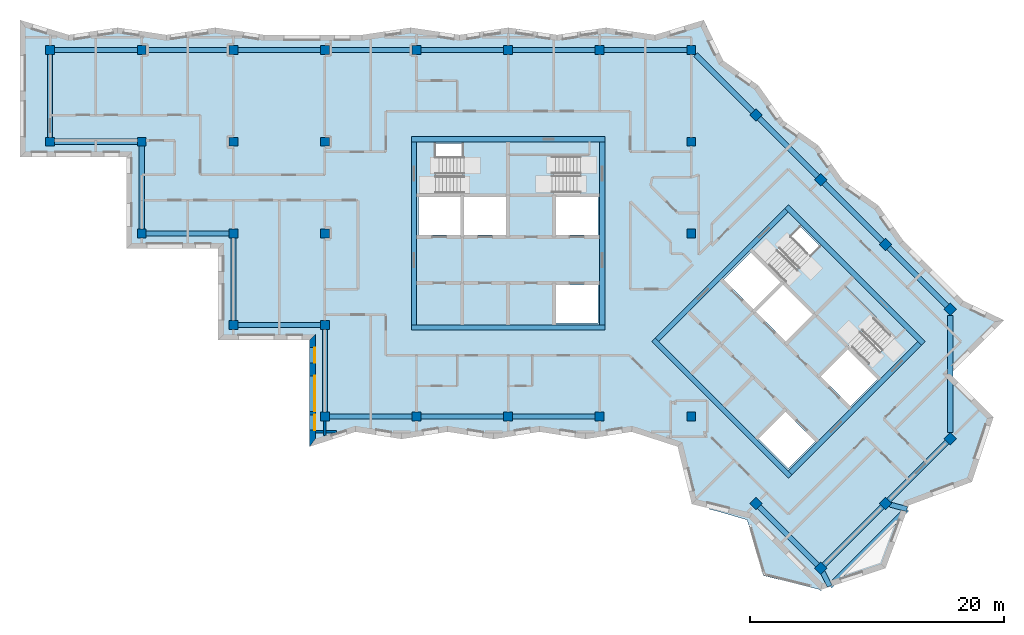
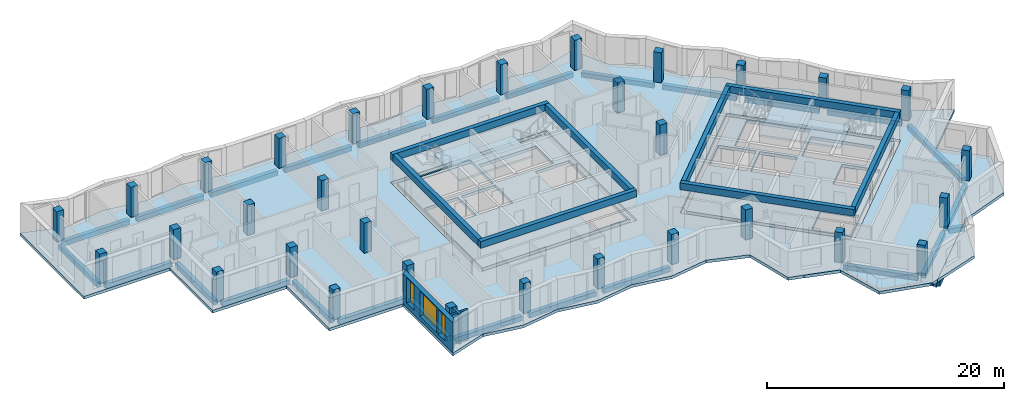
# One storey, part 1 of 12: 36 beams, 32 columns, 8 slabs, 3 walls, 3 windows, 17 openings, 4 elements without a shape of their own.
"""IFC4 building model written with IfcOpenShell, lengths in metres."""

from ifc_helpers import new_model, si_unit, direction, frame, frame_2d, origin, origin_2d, place, context, subcontext, project, spatial, polyline, rectangle, outline, extrude, material, layer, layer_set, material_profile, profile_set, type_object, element, fill, aggregate, save


model = new_model("IFC4")

# Units and contexts
model_context = context("Model", 3, precision=1e-05, world=origin(), true_north=direction((0.0, 1.0)))
body_context = subcontext(model_context, "Body", "Model", "MODEL_VIEW")
ifc_project = project(units=[si_unit("LENGTHUNIT", "METRE"), si_unit("AREAUNIT", "SQUARE_METRE"), si_unit("VOLUMEUNIT", "CUBIC_METRE"), si_unit("PLANEANGLEUNIT", "RADIAN"), si_unit("MASSUNIT", "GRAM", prefix="KILO")], contexts=[model_context])

# Site, building, storey
site_placement = place(None, origin())
site = spatial("IfcSite", under=ifc_project, at=site_placement, CompositionType="ELEMENT")
building_placement = place(site_placement, origin())
building = spatial("IfcBuilding", under=site, at=building_placement, Name="Windrow Commons", CompositionType="ELEMENT")
storey_placement = place(building_placement, frame((0.0, 0.0, 274.4)))
storey = spatial("IfcBuildingStorey", under=building, at=storey_placement, Name="L75", CompositionType="ELEMENT", Elevation=274.4)

# Columns
ifc_material_1 = material(Name="Concrete C40/50", Category="concrete")
ifc_material_profile_1 = material_profile(ifc_material_1, rectangle(XDim=0.7, YDim=0.7, at=origin_2d()))
ifc_profile_set_1 = profile_set([ifc_material_profile_1], Name="Concrete C40/50")
column_type = type_object("IfcColumnType", Name="RC COLUMN 700x700 C40/50", PredefinedType="COLUMN", material=ifc_profile_set_1)
for number, where, z_axis, x_axis, name in (
    (1, (28.8, 64.8, 0.0), (0.0, 0.0, 1.0), (1.0, 0.0, 0.0), "C-Z5-05I"),
    (2, (28.8, 72.0, 0.0), (0.0, 0.0, 1.0), (1.0, 0.0, 0.0), "C-Z5-05J"),
    (3, (36.0, 57.6, 0.0), (0.0, 0.0, 1.0), (1.0, 0.0, 0.0), "C-Z5-06H"),
    (4, (36.0, 64.8, 0.0), (0.0, 0.0, 1.0), (1.0, 0.0, 0.0), "C-Z5-06I"),
    (5, (36.0, 72.0, 0.0), (0.0, 0.0, 1.0), (1.0, 0.0, 0.0), "C-Z5-06J"),
    (6, (43.2, 50.4, 0.0), (0.0, 0.0, 1.0), (1.0, 0.0, 0.0), "C-Z5-07G"),
    (7, (43.2, 57.6, 0.0), (0.0, 0.0, 1.0), (1.0, 0.0, 0.0), "C-Z5-07H"),
    (8, (43.2, 64.8, 0.0), (0.0, 0.0, 1.0), (1.0, 0.0, 0.0), "C-Z5-07I"),
    (9, (43.2, 72.0, 0.0), (0.0, 0.0, 1.0), (1.0, 0.0, 0.0), "C-Z5-07J"),
    (10, (50.4, 43.2, 0.0), (0.0, 0.0, 1.0), (1.0, 0.0, 0.0), "C-Z5-08F"),
    (11, (50.4, 50.4, 0.0), (0.0, 0.0, 1.0), (1.0, 0.0, 0.0), "C-Z5-08G"),
    (12, (50.4, 57.6, 0.0), (0.0, 0.0, 1.0), (1.0, 0.0, 0.0), "C-Z5-08H"),
    (13, (50.4, 64.8, 0.0), (0.0, 0.0, 1.0), (1.0, 0.0, 0.0), "C-Z5-08I"),
    (14, (50.4, 72.0, 0.0), (0.0, 0.0, 1.0), (1.0, 0.0, 0.0), "C-Z5-08J"),
    (15, (57.6, 43.2, 0.0), (0.0, 0.0, 1.0), (1.0, 0.0, 0.0), "C-Z5-09F"),
    (16, (57.6, 72.0, 0.0), (0.0, 0.0, 1.0), (1.0, 0.0, 0.0), "C-Z5-09J"),
    (17, (64.8, 43.2, 0.0), (0.0, 0.0, 1.0), (1.0, 0.0, 0.0), "C-Z5-10F"),
    (18, (64.8, 72.0, 0.0), (0.0, 0.0, 1.0), (1.0, 0.0, 0.0), "C-Z5-10J"),
    (19, (72.0, 43.2, 0.0), (0.0, 0.0, 1.0), (1.0, 0.0, 0.0), "C-Z5-11F"),
    (20, (72.0, 72.0, 0.0), (0.0, 0.0, 1.0), (1.0, 0.0, 0.0), "C-Z5-11J"),
    (21, (79.2, 43.2, 0.0), (0.0, 0.0, 1.0), (1.0, 0.0, 0.0), "C-Z5-12F"),
    (22, (79.2, 57.6, 0.0), (0.0, 0.0, 1.0), (1.0, 0.0, 0.0), "C-Z5-12H"),
    (23, (79.2, 64.8, 0.0), (0.0, 0.0, 1.0), (1.0, 0.0, 0.0), "C-Z5-12I"),
    (24, (79.2, 72.0, 0.0), (0.0, 0.0, 1.0), (1.0, 0.0, 0.0), "C-Z5-12J"),
    (25, (84.2912, 66.9088, 0.0), (0.0, 0.0, 1.0), (0.7071067812, -0.7071067812, 0.0), "C-Z5-P2Q"),
    (26, (89.3823, 61.8177, 0.0), (0.0, 0.0, 1.0), (0.7071067812, -0.7071067812, 0.0), "C-Z5-P3Q"),
    (27, (94.4735, 56.7265, 0.0), (0.0, 0.0, 1.0), (0.7071067812, -0.7071067812, 0.0), "C-Z5-P4Q"),
    (28, (99.5647, 51.6353, 0.0), (0.0, 0.0, 1.0), (0.7071067812, -0.7071067812, 0.0), "C-Z5-P5Q"),
    (29, (84.2912, 36.3618, 0.0), (0.0, 0.0, 1.0), (0.7071067812, -0.7071067812, 0.0), "C-Z5-P5T"),
    (30, (99.5647, 41.453, 0.0), (0.0, 0.0, 1.0), (0.7071067812, -0.7071067812, 0.0), "C-Z5-P6R"),
    (31, (94.4735, 36.3618, 0.0), (0.0, 0.0, 1.0), (0.7071067812, -0.7071067812, 0.0), "C-Z5-P6S"),
    (32, (89.3823, 31.2706, 0.0), (0.0, 0.0, 1.0), (0.7071067812, -0.7071067812, 0.0), "C-Z5-P6T"),
):
    element("IfcColumn", number, at=place(storey_placement, frame(where, z_axis=z_axis, x_axis=x_axis)), inside=storey, type_object=column_type, Name=name, PredefinedType="COLUMN", context=body_context, shape_type="SweptSolid", body=[
        extrude(rectangle(XDim=0.7, YDim=0.7, at=origin_2d()), origin(), (0.0, 0.0, 1.0), 3.1),
    ])

# Beams
ifc_material_2 = material(Name="Concrete C40/50", Category="concrete")
ifc_material_profile_2 = material_profile(ifc_material_2, rectangle(XDim=0.4, YDim=0.7, at=origin_2d()))
ifc_profile_set_2 = profile_set([ifc_material_profile_2], Name="Concrete C40/50")
beam_type_1 = type_object("IfcBeamType", Name="RC COUPLING BEAM 400x700 C40/50", PredefinedType="LINTEL", material=ifc_profile_set_2)
for number, where, z_axis, x_axis, name in (
    (33, (57.2, 50.2, 2.75), (1.0, 0.0, 0.0), (0.0, 1.0, 0.0), "Core A coupling beam outer-S"),
    (34, (57.2, 65.0, 2.75), (1.0, 0.0, 0.0), (0.0, 1.0, 0.0), "Core A coupling beam outer-N"),
):
    element("IfcBeam", number, at=place(storey_placement, frame(where, z_axis=z_axis, x_axis=x_axis)), inside=storey, type_object=beam_type_1, Name=name, PredefinedType="LINTEL", context=body_context, shape_type="SweptSolid", body=[
        extrude(rectangle(XDim=0.4, YDim=0.7, at=origin_2d()), origin(), (0.0, 0.0, 1.0), 15.2),
    ])
for number, where, z_axis, x_axis, name in (
    (35, (57.4, 50.4, 2.75), (0.0, 1.0, 0.0), (-1.0, 0.0, 0.0), "Core A coupling beam outer-W"),
    (36, (72.2, 50.4, 2.75), (0.0, 1.0, 0.0), (-1.0, 0.0, 0.0), "Core A coupling beam outer-E"),
):
    element("IfcBeam", number, at=place(storey_placement, frame(where, z_axis=z_axis, x_axis=x_axis)), inside=storey, type_object=beam_type_1, Name=name, PredefinedType="LINTEL", context=body_context, shape_type="SweptSolid", body=[
        extrude(rectangle(XDim=0.4, YDim=0.7, at=origin_2d()), origin(), (0.0, 0.0, 1.0), 14.4),
    ])
for number, where, z_axis, x_axis, name in (
    (37, (76.2302, 49.2312, 2.75), (0.7071034917, -0.7071100706, 0.0), (0.7071100706, 0.7071034917, 0.0), "Core B coupling beam outer-S"),
    (38, (86.6953, 59.6963, 2.75), (0.7071100706, -0.7071034917, 0.0), (0.7071034917, 0.7071100706, 0.0), "Core B coupling beam outer-N"),
):
    element("IfcBeam", number, at=place(storey_placement, frame(where, z_axis=z_axis, x_axis=x_axis)), inside=storey, type_object=beam_type_1, Name=name, PredefinedType="LINTEL", context=body_context, shape_type="SweptSolid", body=[
        extrude(rectangle(XDim=0.4, YDim=0.7, at=origin_2d()), origin(), (0.0, 0.0, 1.0), 15.2),
    ])
for number, where, z_axis, x_axis, name in (
    (39, (76.513, 49.2312, 2.75), (0.7071067812, 0.7071067812, 0.0), (-0.7071067812, 0.7071067812, 0.0), "Core B coupling beam outer-W"),
    (40, (86.9782, 38.766, 2.75), (0.7071067812, 0.7071067812, 0.0), (-0.7071067812, 0.7071067812, 0.0), "Core B coupling beam outer-E"),
):
    element("IfcBeam", number, at=place(storey_placement, frame(where, z_axis=z_axis, x_axis=x_axis)), inside=storey, type_object=beam_type_1, Name=name, PredefinedType="LINTEL", context=body_context, shape_type="SweptSolid", body=[
        extrude(rectangle(XDim=0.4, YDim=0.7, at=origin_2d()), origin(), (0.0, 0.0, 1.0), 14.3999),
    ])
ifc_material_3 = material(Name="Concrete C40/50", Category="concrete")
ifc_material_profile_3 = material_profile(ifc_material_3, rectangle(XDim=0.4, YDim=0.5, at=origin_2d()))
ifc_profile_set_3 = profile_set([ifc_material_profile_3], Name="Concrete C40/50")
beam_type_2 = type_object("IfcBeamType", Name="RC EDGE BEAM 400x500 C40/50", PredefinedType="SPANDREL", material=ifc_profile_set_3)
beam_1_placement = place(storey_placement, frame((90.0894, 29.8564, -0.55), z_axis=(0.7071067812, 0.7071067812, 0.0), x_axis=(-0.7071067812, 0.7071067812, 0.0)))
element("IfcBeam", 41, at=beam_1_placement, inside=storey, type_object=beam_type_2, Name="Terrace base beam TR-L75-1", PredefinedType="SPANDREL", context=body_context, shape_type="SweptSolid", body=[
    extrude(rectangle(XDim=0.4, YDim=0.5, at=origin_2d()), origin(), (0.0, 0.0, 1.0), 8.5819),
])
beam_2_placement = place(storey_placement, frame((89.5249, 30.9853, -0.55), z_axis=(0.4472452866, -0.8944113447, 0.0), x_axis=(0.8944113447, 0.4472452866, 0.0)))
element("IfcBeam", 42, at=beam_2_placement, inside=storey, type_object=beam_type_2, Name="Terrace base bracket beam TR-L75-1.1", PredefinedType="SPANDREL", context=body_context, shape_type="SweptSolid", body=[
    extrude(rectangle(XDim=0.4, YDim=0.5, at=origin_2d()), origin(), (0.0, 0.0, 1.0), 1.2622),
])
beam_3_placement = place(storey_placement, frame((94.8181, 36.2724, -0.55), z_axis=(0.9679272993, -0.2512304583, 0.0), x_axis=(0.2512304583, 0.9679272993, 0.0)))
element("IfcBeam", 43, at=beam_3_placement, inside=storey, type_object=beam_type_2, Name="Terrace base bracket beam TR-L75-1.2", PredefinedType="SPANDREL", context=body_context, shape_type="SweptSolid", body=[
    extrude(rectangle(XDim=0.4, YDim=0.5, at=origin_2d()), origin(), (0.0, 0.0, 1.0), 1.384),
])
for number, where, z_axis, x_axis, name in (
    (44, (57.25, 43.2, -0.55), (-1.0, 0.0, 0.0), (0.0, -1.0, 0.0), "Edge beam L75 001"),
    (45, (50.4, 43.55, -0.55), (0.0, 1.0, 0.0), (-1.0, 0.0, 0.0), "Edge beam L75 002"),
    (46, (50.05, 50.4, -0.55), (-1.0, 0.0, 0.0), (0.0, -1.0, 0.0), "Edge beam L75 003"),
    (47, (43.2, 50.75, -0.55), (0.0, 1.0, 0.0), (-1.0, 0.0, 0.0), "Edge beam L75 004"),
    (48, (42.85, 57.6, -0.55), (-1.0, 0.0, 0.0), (0.0, -1.0, 0.0), "Edge beam L75 005"),
    (49, (36.0, 57.95, -0.55), (0.0, 1.0, 0.0), (-1.0, 0.0, 0.0), "Edge beam L75 006"),
    (50, (35.65, 64.8, -0.55), (-1.0, 0.0, 0.0), (0.0, -1.0, 0.0), "Edge beam L75 007"),
    (51, (28.8, 65.15, -0.55), (0.0, 1.0, 0.0), (-1.0, 0.0, 0.0), "Edge beam L75 008"),
    (52, (29.15, 72.0, -0.55), (1.0, 0.0, 0.0), (0.0, 1.0, 0.0), "Edge beam L75 009"),
    (53, (36.35, 72.0, -0.55), (1.0, 0.0, 0.0), (0.0, 1.0, 0.0), "Edge beam L75 010"),
    (54, (43.55, 72.0, -0.55), (1.0, 0.0, 0.0), (0.0, 1.0, 0.0), "Edge beam L75 011"),
    (55, (50.75, 72.0, -0.55), (1.0, 0.0, 0.0), (0.0, 1.0, 0.0), "Edge beam L75 012"),
    (56, (57.95, 72.0, -0.55), (1.0, 0.0, 0.0), (0.0, 1.0, 0.0), "Edge beam L75 013"),
    (57, (65.15, 72.0, -0.55), (1.0, 0.0, 0.0), (0.0, 1.0, 0.0), "Edge beam L75 014"),
    (58, (72.35, 72.0, -0.55), (1.0, 0.0, 0.0), (0.0, 1.0, 0.0), "Edge beam L75 015"),
):
    element("IfcBeam", number, at=place(storey_placement, frame(where, z_axis=z_axis, x_axis=x_axis)), inside=storey, type_object=beam_type_2, Name=name, PredefinedType="SPANDREL", context=body_context, shape_type="SweptSolid", body=[
        extrude(rectangle(XDim=0.4, YDim=0.5, at=origin_2d()), origin(), (0.0, 0.0, 1.0), 6.5),
    ])
beam_4_placement = place(storey_placement, frame((79.55, 71.65, -0.55), z_axis=(0.7071067812, -0.7071067812, 0.0), x_axis=(0.7071067812, 0.7071067812, 0.0)))
element("IfcBeam", 59, at=beam_4_placement, inside=storey, type_object=beam_type_2, Name="Edge beam L75 016", PredefinedType="SPANDREL", context=body_context, shape_type="SweptSolid", body=[
    extrude(rectangle(XDim=0.4, YDim=0.5, at=origin_2d()), origin(), (0.0, 0.0, 1.0), 6.3551),
])
beam_5_placement = place(storey_placement, frame((84.5387, 66.6613, -0.55), z_axis=(0.7071067812, -0.7071067812, 0.0), x_axis=(0.7071067812, 0.7071067812, 0.0)))
element("IfcBeam", 60, at=beam_5_placement, inside=storey, type_object=beam_type_2, Name="Edge beam L75 017", PredefinedType="SPANDREL", context=body_context, shape_type="SweptSolid", body=[
    extrude(rectangle(XDim=0.4, YDim=0.5, at=origin_2d()), origin(), (0.0, 0.0, 1.0), 6.4999),
])
for number, where, z_axis, x_axis, name in (
    (61, (89.6298, 61.5702, -0.55), (0.7071067812, -0.7071067812, 0.0), (0.7071067812, 0.7071067812, 0.0), "Edge beam L75 018"),
    (62, (94.721, 56.479, -0.55), (0.7071067812, -0.7071067812, 0.0), (0.7071067812, 0.7071067812, 0.0), "Edge beam L75 019"),
):
    element("IfcBeam", number, at=place(storey_placement, frame(where, z_axis=z_axis, x_axis=x_axis)), inside=storey, type_object=beam_type_2, Name=name, PredefinedType="SPANDREL", context=body_context, shape_type="SweptSolid", body=[
        extrude(rectangle(XDim=0.4, YDim=0.5, at=origin_2d()), origin(), (0.0, 0.0, 1.0), 6.5),
    ])
beam_6_placement = place(storey_placement, frame((99.5647, 51.1403, -0.55), z_axis=(0.0, -1.0, 0.0), x_axis=(1.0, 0.0, 0.0)))
element("IfcBeam", 63, at=beam_6_placement, inside=storey, type_object=beam_type_2, Name="Edge beam L75 020", PredefinedType="SPANDREL", context=body_context, shape_type="SweptSolid", body=[
    extrude(rectangle(XDim=0.4, YDim=0.5, at=origin_2d()), origin(), (0.0, 0.0, 1.0), 9.1923),
])
for number, where, z_axis, x_axis, name in (
    (64, (99.3172, 41.2055, -0.55), (-0.7071067812, -0.7071067812, 0.0), (0.7071067812, -0.7071067812, 0.0), "Edge beam L75 021"),
    (65, (94.226, 36.1143, -0.55), (-0.7071067812, -0.7071067812, 0.0), (0.7071067812, -0.7071067812, 0.0), "Edge beam L75 022"),
):
    element("IfcBeam", number, at=place(storey_placement, frame(where, z_axis=z_axis, x_axis=x_axis)), inside=storey, type_object=beam_type_2, Name=name, PredefinedType="SPANDREL", context=body_context, shape_type="SweptSolid", body=[
        extrude(rectangle(XDim=0.4, YDim=0.5, at=origin_2d()), origin(), (0.0, 0.0, 1.0), 6.5),
    ])
beam_7_placement = place(storey_placement, frame((89.1348, 31.5181, -0.55), z_axis=(-0.7070990888, 0.7071144735, 0.0), x_axis=(-0.7071144735, -0.7070990888, 0.0)))
element("IfcBeam", 66, at=beam_7_placement, inside=storey, type_object=beam_type_2, Name="Edge beam L75 023", PredefinedType="SPANDREL", context=body_context, shape_type="SweptSolid", body=[
    extrude(rectangle(XDim=0.4, YDim=0.5, at=origin_2d()), origin(), (0.0, 0.0, 1.0), 6.4999),
])
for number, where, z_axis, x_axis, name in (
    (67, (71.65, 43.2, -0.55), (-1.0, 0.0, 0.0), (0.0, -1.0, 0.0), "Edge beam L75 024"),
    (68, (64.45, 43.2, -0.55), (-1.0, 0.0, 0.0), (0.0, -1.0, 0.0), "Edge beam L75 025"),
):
    element("IfcBeam", number, at=place(storey_placement, frame(where, z_axis=z_axis, x_axis=x_axis)), inside=storey, type_object=beam_type_2, Name=name, PredefinedType="SPANDREL", context=body_context, shape_type="SweptSolid", body=[
        extrude(rectangle(XDim=0.4, YDim=0.5, at=origin_2d()), origin(), (0.0, 0.0, 1.0), 6.5),
    ])

# Slab, openings
ifc_material_4 = material(Name="Concrete C40/50", Category="concrete")
ifc_layer_1 = layer(ifc_material_4, 0.3)
ifc_layer_set_1 = layer_set([ifc_layer_1], Name="CORE FLOOR SLAB 300 C40/50")
slab_type_1 = type_object("IfcSlabType", Name="CORE FLOOR SLAB 300 C40/50", PredefinedType="FLOOR", material=ifc_layer_set_1)
placement_1 = place(storey_placement, frame((0.0, 0.0, -0.3)))
slab_1 = element("IfcSlab", 69, at=placement_1, inside=storey, type_object=slab_type_1, Name="S-L75-core-A", PredefinedType="FLOOR", context=body_context, shape_type="SweptSolid", body=[
    extrude(outline(polyline([(57.6, 50.4), (72.0, 50.4), (72.0, 64.8), (57.6, 64.8), (57.6, 50.4)]), holes=[polyline([(68.55, 50.55), (71.85, 50.55), (71.85, 53.55), (68.55, 53.55), (68.55, 50.55)]), polyline([(57.75, 57.45), (61.05, 57.45), (61.05, 60.45), (57.75, 60.45), (57.75, 57.45)]), polyline([(61.35, 57.45), (64.65, 57.45), (64.65, 60.45), (61.35, 60.45), (61.35, 57.45)]), polyline([(68.55, 57.45), (71.85, 57.45), (71.85, 60.45), (68.55, 60.45), (68.55, 57.45)]), polyline([(59.1, 60.75), (64.65, 60.75), (64.65, 64.65), (59.1, 64.65), (59.1, 60.75)]), polyline([(64.95, 60.75), (70.5, 60.75), (70.5, 63.705), (64.95, 63.705), (64.95, 60.75)])]), origin(), (0.0, 0.0, 1.0), 0.3),
])
opening_1_placement = place(placement_1, origin())
element("IfcOpeningElement", 70, at=opening_1_placement, cuts=slab_1, Name="Slab opening S-L75-core-A 1", PredefinedType="OPENING", context=body_context, shape_type="SweptSolid", body=[
    extrude(outline(polyline([(68.555, 50.555), (68.555, 53.545), (71.845, 53.545), (71.845, 50.555), (68.555, 50.555)])), origin(), (0.0, 0.0, 1.0), 0.3),
])
opening_2_placement = place(placement_1, origin())
element("IfcOpeningElement", 71, at=opening_2_placement, cuts=slab_1, Name="Slab opening S-L75-core-A 2", PredefinedType="OPENING", context=body_context, shape_type="SweptSolid", body=[
    extrude(outline(polyline([(57.755, 57.455), (57.755, 60.445), (61.045, 60.445), (61.045, 57.455), (57.755, 57.455)])), origin(), (0.0, 0.0, 1.0), 0.3),
])
opening_3_placement = place(placement_1, origin())
element("IfcOpeningElement", 72, at=opening_3_placement, cuts=slab_1, Name="Slab opening S-L75-core-A 3", PredefinedType="OPENING", context=body_context, shape_type="SweptSolid", body=[
    extrude(outline(polyline([(61.355, 57.455), (61.355, 60.445), (64.645, 60.445), (64.645, 57.455), (61.355, 57.455)])), origin(), (0.0, 0.0, 1.0), 0.3),
])
opening_4_placement = place(placement_1, origin())
element("IfcOpeningElement", 73, at=opening_4_placement, cuts=slab_1, Name="Slab opening S-L75-core-A 4", PredefinedType="OPENING", context=body_context, shape_type="SweptSolid", body=[
    extrude(outline(polyline([(68.555, 57.455), (68.555, 60.445), (71.845, 60.445), (71.845, 57.455), (68.555, 57.455)])), origin(), (0.0, 0.0, 1.0), 0.3),
])
opening_5_placement = place(placement_1, origin())
element("IfcOpeningElement", 74, at=opening_5_placement, cuts=slab_1, Name="Slab opening S-L75-core-A 5", PredefinedType="OPENING", context=body_context, shape_type="SweptSolid", body=[
    extrude(outline(polyline([(59.105, 60.755), (59.105, 64.645), (64.645, 64.645), (64.645, 60.755), (59.105, 60.755)])), origin(), (0.0, 0.0, 1.0), 0.3),
])
opening_6_placement = place(placement_1, origin())
element("IfcOpeningElement", 75, at=opening_6_placement, cuts=slab_1, Name="Slab opening S-L75-core-A 6", PredefinedType="OPENING", context=body_context, shape_type="SweptSolid", body=[
    extrude(outline(polyline([(64.955, 60.755), (64.955, 63.7), (70.495, 63.7), (70.495, 60.755), (64.955, 60.755)])), origin(), (0.0, 0.0, 1.0), 0.3),
])

slab_2 = element("IfcSlab", 76, at=placement_1, inside=storey, type_object=slab_type_1, Name="S-L75-core-B", PredefinedType="FLOOR", context=body_context, shape_type="SweptSolid", body=[
    extrude(outline(polyline([(76.6544, 49.0897), (86.8368, 38.9074), (97.0191, 49.0897), (86.8368, 59.2721), (76.6544, 49.0897)]), holes=[polyline([(84.5033, 41.453), (86.8368, 39.1195), (88.9581, 41.2409), (86.6246, 43.5743), (84.5033, 41.453)]), polyline([(81.7456, 53.9688), (84.079, 51.6353), (86.2004, 53.7566), (83.8669, 56.0901), (81.7456, 53.9688)]), polyline([(84.2912, 51.4232), (86.6246, 49.0897), (88.7459, 51.2111), (86.4125, 53.5445), (84.2912, 51.4232)]), polyline([(89.3823, 46.332), (91.7158, 43.9986), (93.8371, 46.1199), (91.5037, 48.4533), (89.3823, 46.332)]), polyline([(85.0336, 55.3476), (88.9581, 51.4232), (91.7158, 54.1809), (87.7913, 58.1054), (85.0336, 55.3476)]), polyline([(89.1702, 51.2111), (93.0946, 47.2866), (95.1841, 49.3761), (91.2597, 53.3006), (89.1702, 51.2111)])]), origin(), (0.0, 0.0, 1.0), 0.3),
])
opening_7_placement = place(placement_1, origin())
element("IfcOpeningElement", 77, at=opening_7_placement, cuts=slab_2, Name="Slab opening S-L75-core-B 1", PredefinedType="OPENING", context=body_context, shape_type="SweptSolid", body=[
    extrude(outline(polyline([(84.5104, 41.453), (86.6246, 43.5672), (88.951, 41.2409), (86.8368, 39.1266), (84.5104, 41.453)])), origin(), (0.0, 0.0, 1.0), 0.3),
])
opening_8_placement = place(placement_1, origin())
element("IfcOpeningElement", 78, at=opening_8_placement, cuts=slab_2, Name="Slab opening S-L75-core-B 2", PredefinedType="OPENING", context=body_context, shape_type="SweptSolid", body=[
    extrude(outline(polyline([(81.7527, 53.9688), (83.8669, 56.083), (86.1933, 53.7566), (84.079, 51.6424), (81.7527, 53.9688)])), origin(), (0.0, 0.0, 1.0), 0.3),
])
opening_9_placement = place(placement_1, origin())
element("IfcOpeningElement", 79, at=opening_9_placement, cuts=slab_2, Name="Slab opening S-L75-core-B 3", PredefinedType="OPENING", context=body_context, shape_type="SweptSolid", body=[
    extrude(outline(polyline([(84.2983, 51.4232), (86.4125, 53.5374), (88.7388, 51.2111), (86.6246, 49.0968), (84.2983, 51.4232)])), origin(), (0.0, 0.0, 1.0), 0.3),
])
opening_10_placement = place(placement_1, origin())
element("IfcOpeningElement", 80, at=opening_10_placement, cuts=slab_2, Name="Slab opening S-L75-core-B 4", PredefinedType="OPENING", context=body_context, shape_type="SweptSolid", body=[
    extrude(outline(polyline([(89.3894, 46.332), (91.5037, 48.4462), (93.83, 46.1199), (91.7158, 44.0057), (89.3894, 46.332)])), origin(), (0.0, 0.0, 1.0), 0.3),
])
opening_11_placement = place(placement_1, origin())
element("IfcOpeningElement", 81, at=opening_11_placement, cuts=slab_2, Name="Slab opening S-L75-core-B 5", PredefinedType="OPENING", context=body_context, shape_type="SweptSolid", body=[
    extrude(outline(polyline([(85.0407, 55.3476), (87.7913, 58.0983), (91.7087, 54.1809), (88.9581, 51.4303), (85.0407, 55.3476)])), origin(), (0.0, 0.0, 1.0), 0.3),
])
opening_12_placement = place(placement_1, origin())
element("IfcOpeningElement", 82, at=opening_12_placement, cuts=slab_2, Name="Slab opening S-L75-core-B 6", PredefinedType="OPENING", context=body_context, shape_type="SweptSolid", body=[
    extrude(outline(polyline([(89.1773, 51.2111), (91.2597, 53.2935), (95.177, 49.3761), (93.0946, 47.2937), (89.1773, 51.2111)])), origin(), (0.0, 0.0, 1.0), 0.3),
])

# Stair, slab
ifc_material_5 = material(Name="Concrete C40/50", Category="concrete")
stair_type = type_object("IfcStairType", Name="Core stair", PredefinedType="HALF_TURN_STAIR", material=ifc_material_5)
placement_2 = place(storey_placement, origin())
stair_1 = element("IfcStair", 83, at=placement_2, inside=storey, type_object=stair_type, Name="L75 Exit stair A1 core A", PredefinedType="HALF_TURN_STAIR")
ifc_material_6 = material(Name="Concrete C40/50", Category="concrete")
ifc_layer_2 = layer(ifc_material_6, 0.2)
ifc_layer_set_2 = layer_set([ifc_layer_2], Name="Core stair landing")
slab_type_2 = type_object("IfcSlabType", Name="Core stair landing", PredefinedType="LANDING", material=ifc_layer_set_2)
placement_3 = place(storey_placement, frame((0.0, 0.0, 1.5)))
slab_3 = element("IfcSlab", 84, at=placement_3, type_object=slab_type_2, Name="ST-A1 landing 1", PredefinedType="LANDING", context=body_context, shape_type="SweptSolid", body=[
    extrude(outline(polyline([(61.22, 60.5), (64.8, 60.5), (64.8, 64.9), (61.22, 64.9), (61.22, 60.5)])), origin(), (0.0, 0.0, 1.0), 0.2),
])
aggregate(stair_1, [slab_3])

stair_2 = element("IfcStair", 85, at=placement_2, inside=storey, type_object=stair_type, Name="L75 Exit stair A2 core A", PredefinedType="HALF_TURN_STAIR")
slab_4 = element("IfcSlab", 86, at=placement_3, type_object=slab_type_2, Name="ST-A2 landing 1", PredefinedType="LANDING", context=body_context, shape_type="SweptSolid", body=[
    extrude(outline(polyline([(64.8, 60.5), (68.38, 60.5), (68.38, 63.855), (64.8, 63.855), (64.8, 60.5)])), origin(), (0.0, 0.0, 1.0), 0.2),
])
aggregate(stair_2, [slab_4])

stair_3 = element("IfcStair", 87, at=placement_2, inside=storey, type_object=stair_type, Name="L75 Exit stair B1 core B", PredefinedType="HALF_TURN_STAIR")
slab_5 = element("IfcSlab", 88, at=placement_3, type_object=slab_type_2, Name="ST-B1 landing 1", PredefinedType="LANDING", context=body_context, shape_type="SweptSolid", body=[
    extrude(outline(polyline([(86.3559, 53.6718), (88.8874, 51.1403), (91.9986, 54.2516), (89.4672, 56.7831), (86.3559, 53.6718)])), origin(), (0.0, 0.0, 1.0), 0.2),
])
aggregate(stair_3, [slab_5])

stair_4 = element("IfcStair", 89, at=placement_2, inside=storey, type_object=stair_type, Name="L75 Exit stair B2 core B", PredefinedType="HALF_TURN_STAIR")
slab_6 = element("IfcSlab", 90, at=placement_3, type_object=slab_type_2, Name="ST-B2 landing 1", PredefinedType="LANDING", context=body_context, shape_type="SweptSolid", body=[
    extrude(outline(polyline([(88.8874, 51.1403), (91.4188, 48.6089), (93.7911, 50.9812), (91.2597, 53.5127), (88.8874, 51.1403)])), origin(), (0.0, 0.0, 1.0), 0.2),
])
aggregate(stair_4, [slab_6])

# Slab, openings
ifc_material_7 = material(Name="Concrete C40/50", Category="concrete")
ifc_layer_3 = layer(ifc_material_7, 0.3)
ifc_layer_set_3 = layer_set([ifc_layer_3], Name="FLOOR SLAB 300 C40/50")
slab_type_3 = type_object("IfcSlabType", Name="FLOOR SLAB 300 C40/50", PredefinedType="FLOOR", material=ifc_layer_set_3)
slab_7 = element("IfcSlab", 91, at=placement_1, inside=storey, type_object=slab_type_3, Name="S-L75-floor", PredefinedType="FLOOR", context=body_context, shape_type="SweptSolid", body=[
    extrude(outline(polyline([(89.3955, 29.5151), (89.4013, 29.5167), (89.4403, 29.5297), (89.3929, 29.5771), (90.0187, 29.7857), (96.2284, 35.9954), (96.312, 36.2204), (101.2617, 38.0588), (102.9588, 43.15), (99.5647, 46.5442), (103.7875, 50.767), (100.5983, 52.2988), (95.8773, 57.0198), (93.9213, 59.7848), (91.1563, 61.7408), (89.2003, 64.5057), (86.4353, 66.4618), (84.4793, 69.2267), (81.7143, 71.1828), (80.1826, 74.372), (76.3429, 73.2), (72.5033, 73.772), (68.6637, 73.2), (64.8241, 73.772), (60.9845, 73.2), (57.1449, 73.772), (53.3053, 73.2), (45.6261, 73.2), (41.7864, 73.772), (37.9468, 73.2), (34.1072, 73.772), (30.2676, 73.2), (26.428, 74.372), (26.428, 63.6), (34.8, 63.6), (34.8, 56.4), (42.0, 56.4), (42.0, 49.2), (49.2, 49.2), (49.2, 40.828), (52.816, 42.0), (56.432, 41.428), (60.048, 42.0), (63.6639, 41.428), (67.2799, 42.0), (70.8959, 41.428), (74.5119, 42.0), (78.1279, 40.828), (79.2444, 36.3173), (80.5888, 35.9846), (80.5733, 35.9266), (81.1148, 35.7926), (83.5987, 35.0744), (84.8641, 30.6976), (89.2693, 29.6017), (89.3399, 29.5312), (89.3444, 29.5271), (89.3492, 29.5235), (89.3544, 29.5205), (89.3599, 29.5179), (89.3656, 29.516), (89.3715, 29.5146), (89.3775, 29.5138), (89.3835, 29.5136), (89.3895, 29.514), (89.3955, 29.5151)]), holes=[polyline([(76.0887, 49.0897), (86.8368, 59.8378), (97.5848, 49.0897), (86.8368, 38.3417), (76.0887, 49.0897)]), polyline([(57.2, 50.0), (57.2, 65.2), (72.4, 65.2), (72.4, 50.0), (57.2, 50.0)])]), origin(), (0.0, 0.0, 1.0), 0.3),
])
opening_13_placement = place(placement_1, origin())
element("IfcOpeningElement", 92, at=opening_13_placement, cuts=slab_7, Name="Slab opening S-L75-floor 1", PredefinedType="OPENING", context=body_context, shape_type="SweptSolid", body=[
    extrude(outline(polyline([(76.0958, 49.0897), (86.8368, 59.8307), (97.5777, 49.0897), (86.8368, 38.3488), (76.0958, 49.0897)])), origin(), (0.0, 0.0, 1.0), 0.3),
])
opening_14_placement = place(placement_1, origin())
element("IfcOpeningElement", 93, at=opening_14_placement, cuts=slab_7, Name="Slab opening S-L75-floor 2", PredefinedType="OPENING", context=body_context, shape_type="SweptSolid", body=[
    extrude(outline(polyline([(57.205, 50.005), (57.205, 65.195), (72.395, 65.195), (72.395, 50.005), (57.205, 50.005)])), origin(), (0.0, 0.0, 1.0), 0.3),
])

# Slab
ifc_material_8 = material(Name="Concrete C40/50", Category="concrete")
ifc_layer_4 = layer(ifc_material_8, 0.3)
ifc_layer_set_4 = layer_set([ifc_layer_4], Name="TERRACE SLAB 300 C40/50")
slab_type_4 = type_object("IfcSlabType", Name="TERRACE SLAB 300 C40/50", PredefinedType="FLOOR", material=ifc_layer_set_4)
element("IfcSlab", 94, at=placement_1, inside=storey, type_object=slab_type_4, Name="Terrace slab TR-L75-1", PredefinedType="FLOOR", context=body_context, shape_type="SweptSolid", body=[
    extrude(outline(polyline([(95.7394, 34.6789), (96.2281, 35.9945), (90.0202, 29.7866), (92.6774, 30.6724), (92.6775, 30.6719), (93.305, 30.8811), (93.9723, 31.1035), (93.9722, 31.104), (94.4732, 31.271), (95.6019, 34.3099), (95.739, 34.679), (95.7394, 34.6789)])), origin(), (0.0, 0.0, 1.0), 0.3),
])

# Wall, openings, windows
ifc_material_9 = material(Name="Brick masonry, red clay brick", Category="masonry")
ifc_layer_5 = layer(ifc_material_9, 0.45)
ifc_layer_set_5 = layer_set([ifc_layer_5], Name="Brick facade wall 450")
wall_type_1 = type_object("IfcWallType", Name="Brick facade wall 450", PredefinedType="SOLIDWALL", material=ifc_layer_set_5)
wall_1_placement = place(storey_placement, frame((49.425, 49.425, 0.0), z_axis=(0.0, 0.0, 1.0), x_axis=(0.0, -1.0, 0.0)))
wall_1 = element("IfcWall", 95, at=wall_1_placement, inside=storey, type_object=wall_type_1, Name="Brick facade wall L75 35", PredefinedType="SOLIDWALL", context=body_context, shape_type="SweptSolid", body=[
    extrude(outline(polyline([(0.225, -0.225), (8.597, -0.225), (7.9781, 0.225), (-0.225, 0.225), (0.225, -0.225)])), origin(), (0.0, 0.0, 1.0), 3.1),
])
opening_15_placement = place(wall_1_placement, frame((3.025, 0.0, 0.45)))
opening_15 = element("IfcOpeningElement", 96, at=opening_15_placement, cuts=wall_1, Name="Opening W1V", PredefinedType="OPENING", context=body_context, shape_type="SweptSolid", body=[
    extrude(rectangle(XDim=2.8, YDim=2.55, at=frame_2d((1.4, 1.275))), frame((0.0, 0.235, 0.0), z_axis=(0.0, -1.0, 0.0), x_axis=(1.0, 0.0, 0.0)), (0.0, 0.0, 1.0), 0.47),
])
opening_16_placement = place(wall_1_placement, frame((0.8125, 0.0, 0.45)))
opening_16 = element("IfcOpeningElement", 97, at=opening_16_placement, cuts=wall_1, Name="Opening W7F", PredefinedType="OPENING", context=body_context, shape_type="SweptSolid", body=[
    extrude(rectangle(XDim=1.2, YDim=2.55, at=frame_2d((0.6, 1.275))), frame((0.0, 0.235, 0.0), z_axis=(0.0, -1.0, 0.0), x_axis=(1.0, 0.0, 0.0)), (0.0, 0.0, 1.0), 0.47),
])
opening_17_placement = place(wall_1_placement, frame((6.1016, 0.0, 0.45)))
opening_17 = element("IfcOpeningElement", 98, at=opening_17_placement, cuts=wall_1, Name="Opening W7F", PredefinedType="OPENING", context=body_context, shape_type="SweptSolid", body=[
    extrude(rectangle(XDim=1.2, YDim=2.55, at=frame_2d((0.6, 1.275))), frame((0.0, 0.235, 0.0), z_axis=(0.0, -1.0, 0.0), x_axis=(1.0, 0.0, 0.0)), (0.0, 0.0, 1.0), 0.47),
])
ifc_material_10 = material(Name="Clear float glass in anodised aluminium frame", Category="aluminium")
window_type_1 = type_object("IfcWindowType", Name="Window W1V bedroom 2800x2550", PartitioningType="SINGLE_PANEL", PredefinedType="WINDOW", material=ifc_material_10)
window_1_placement = place(opening_15_placement, origin())
window_1 = element("IfcWindow", 99, at=window_1_placement, inside=storey, type_object=window_type_1, Name="Window L75 35.1", OverallHeight=2.55, OverallWidth=2.8, PartitioningType="SINGLE_PANEL", PredefinedType="WINDOW", context=body_context, shape_type="SweptSolid", body=[
    extrude(rectangle(XDim=2.8, YDim=2.55, at=frame_2d((1.4, 1.275))), frame((0.0, 0.205, 0.0), z_axis=(0.0, -1.0, 0.0), x_axis=(1.0, 0.0, 0.0)), (0.0, 0.0, 1.0), 0.06),
])
fill(opening_15, window_1)
ifc_material_11 = material(Name="Clear float glass in anodised aluminium frame", Category="aluminium")
window_type_2 = type_object("IfcWindowType", Name="Window W7 notch 1200x2550", PartitioningType="SINGLE_PANEL", PredefinedType="WINDOW", material=ifc_material_11)
window_2_placement = place(opening_16_placement, origin())
window_2 = element("IfcWindow", 100, at=window_2_placement, inside=storey, type_object=window_type_2, Name="Window L75 35.2", OverallHeight=2.55, OverallWidth=1.2, PartitioningType="SINGLE_PANEL", PredefinedType="WINDOW", context=body_context, shape_type="SweptSolid", body=[
    extrude(rectangle(XDim=1.2, YDim=2.55, at=frame_2d((0.6, 1.275))), frame((0.0, 0.205, 0.0), z_axis=(0.0, -1.0, 0.0), x_axis=(1.0, 0.0, 0.0)), (0.0, 0.0, 1.0), 0.06),
])
fill(opening_16, window_2)
window_3_placement = place(opening_17_placement, origin())
window_3 = element("IfcWindow", 101, at=window_3_placement, inside=storey, type_object=window_type_2, Name="Window L75 35.3", OverallHeight=2.55, OverallWidth=1.2, PartitioningType="SINGLE_PANEL", PredefinedType="WINDOW", context=body_context, shape_type="SweptSolid", body=[
    extrude(rectangle(XDim=1.2, YDim=2.55, at=frame_2d((0.6, 1.275))), frame((0.0, 0.205, 0.0), z_axis=(0.0, -1.0, 0.0), x_axis=(1.0, 0.0, 0.0)), (0.0, 0.0, 1.0), 0.06),
])
fill(opening_17, window_3)

# Walls
ifc_material_12 = material(Name="Blockwork partition", Category="masonry")
ifc_layer_6 = layer(ifc_material_12, 0.2)
ifc_layer_set_6 = layer_set([ifc_layer_6], Name="IW-PARTY-200")
wall_type_2 = type_object("IfcWallType", Name="IW-PARTY-200", PredefinedType="PARTITIONING", material=ifc_layer_set_6)
wall_2_placement = place(storey_placement, frame((49.65, 42.0, 0.0), z_axis=(0.0, 0.0, 1.0), x_axis=(1.0, 0.0, 0.0)))
element("IfcWall", 102, at=wall_2_placement, inside=storey, type_object=wall_type_2, Name="W-L75-W100", PredefinedType="PARTITIONING", context=body_context, shape_type="SweptSolid", body=[
    extrude(rectangle(XDim=1.6565, YDim=0.2, at=frame_2d((0.8283, 0.0))), origin(), (0.0, 0.0, 1.0), 3.1),
])
wall_3_placement = place(storey_placement, frame((50.4, 41.69, 0.0), z_axis=(0.0, 0.0, 1.0), x_axis=(0.0, 1.0, 0.0)))
element("IfcWall", 103, at=wall_3_placement, inside=storey, type_object=wall_type_2, Name="W-L75-W117", PredefinedType="PARTITIONING", context=body_context, shape_type="SweptSolid", body=[
    extrude(rectangle(XDim=1.16, YDim=0.2, at=frame_2d((0.58, 0.0))), origin(), (0.0, 0.0, 1.0), 3.1),
])

save(model, "model.ifc")
